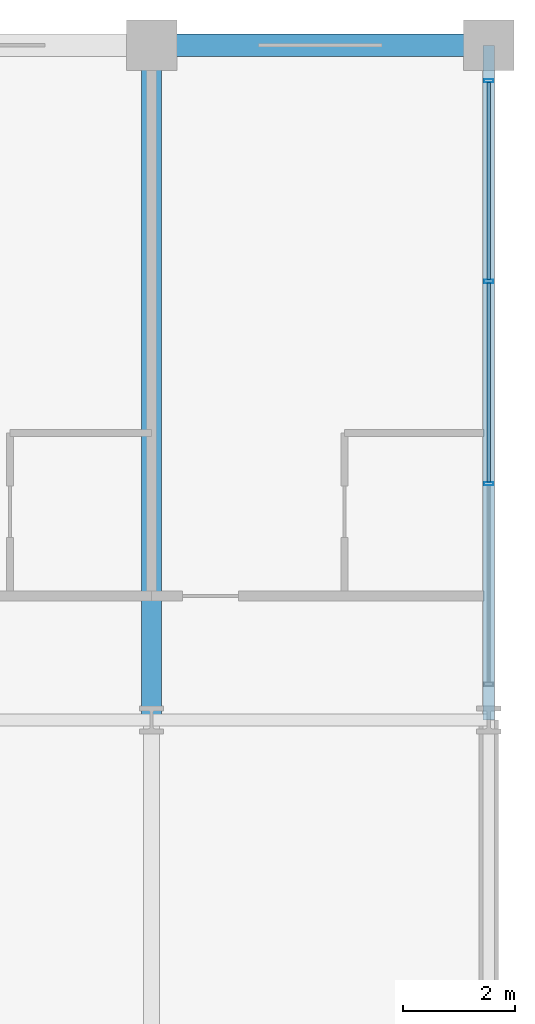
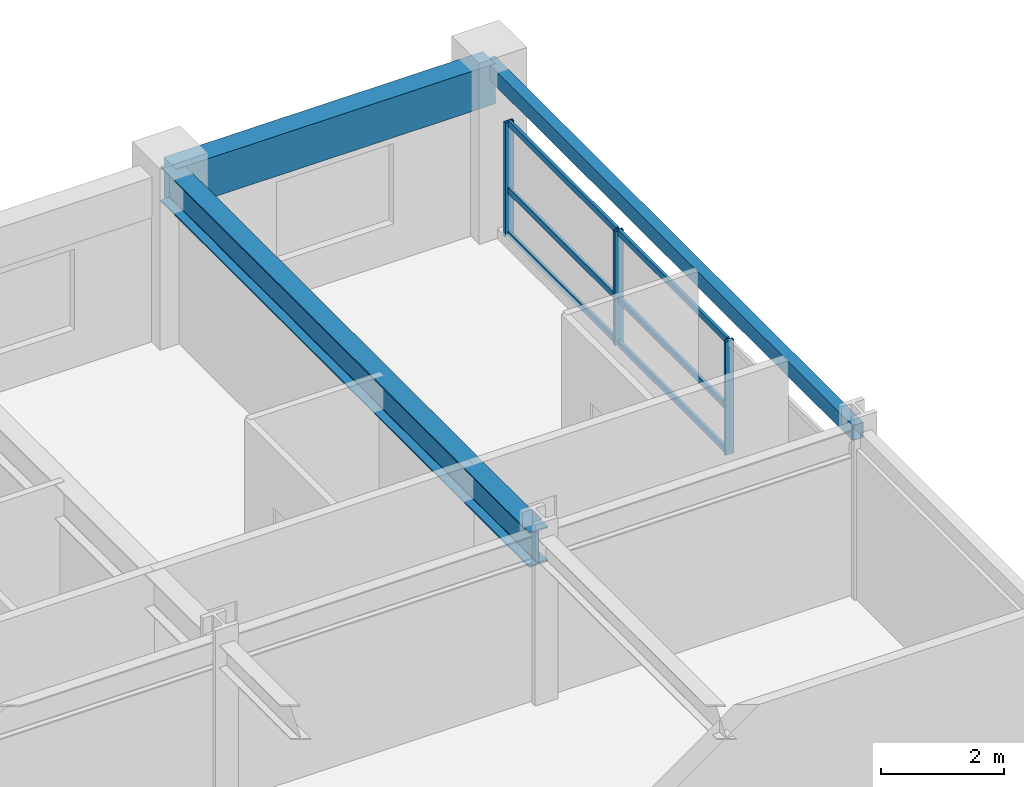
# One storey, part 14 of 22: 9 members, 3 beams, 1 element without a shape of its own.
"""IFC4 building model written with IfcOpenShell, lengths in metres."""

import ifcopenshell
import ifcopenshell.guid

model = None  # the IFC model being written
_history = None  # IfcOwnerHistory: only IFC2X3 demands one
_inside = {}  # id of a spatial element -> (the spatial element, [elements in it])
_under = {}  # id of a project, library or spatial element -> (it, [spatial elements below it])
_declared = {}  # id of a project -> (the project, [libraries it declares])
_typed = {}  # id of a type object -> (the type object, [elements of that type])
_made_of = {}  # id of a material, layer set ... -> (it, [elements and type objects made of it])


def new_model(schema):
    """Start an empty IFC model of exactly this schema.

    Asked for "IFC4X3", IfcOpenShell would pick the latest addendum, in which some entities
    have other attributes; the version numbers below select the first issue.
    IFC2X3 requires an IfcOwnerHistory on every rooted entity: one is made here for all.
    """
    global model, _history
    if schema == "IFC4X3":
        model = ifcopenshell.file(schema_version=(4, 3, 0, 0))
    else:
        model = ifcopenshell.file(schema=schema)
    _inside.clear()
    _under.clear()
    _declared.clear()
    _typed.clear()
    _made_of.clear()
    _history = None
    if model.schema == "IFC2X3":
        org = make("IfcOrganization", Name="unknown")
        user = make(
            "IfcPersonAndOrganization",
            ThePerson=make("IfcPerson", FamilyName="unknown"),
            TheOrganization=org,
        )
        app = make(
            "IfcApplication",
            ApplicationDeveloper=org,
            Version="unknown",
            ApplicationFullName="unknown",
            ApplicationIdentifier="unknown",
        )
        _history = make(
            "IfcOwnerHistory",
            OwningUser=user,
            OwningApplication=app,
            ChangeAction="ADDED",
            CreationDate=0,
        )
    return model


def make(cls, **values):
    """One entity of the class cls with the attributes given. An attribute that is None is left unset."""
    return model.create_entity(
        cls, **{name: value for name, value in values.items() if value is not None}
    )


def rooted(cls, **values):
    """An entity with a GlobalId (a new one), such as an element, a storey or a relation."""
    return make(cls, GlobalId=ifcopenshell.guid.new(), OwnerHistory=_history, **values)


def si_unit(unit_type, name, prefix=None):
    """IfcSIUnit, for example si_unit("LENGTHUNIT", "METRE", prefix="MILLI")."""
    return make("IfcSIUnit", UnitType=unit_type, Prefix=prefix, Name=name)


def assignment(units):
    """IfcUnitAssignment: the units of a project."""
    return None if units is None else make("IfcUnitAssignment", Units=units)


def point(xyz):
    """IfcCartesianPoint."""
    return None if xyz is None else make("IfcCartesianPoint", Coordinates=xyz)


def direction(xyz):
    """IfcDirection."""
    return None if xyz is None else make("IfcDirection", DirectionRatios=xyz)


def frame(location, z_axis=None, x_axis=None):
    """IfcAxis2Placement3D, a coordinate frame: its origin and axes. An axis left out is left unset."""
    return make(
        "IfcAxis2Placement3D",
        Location=point(location),
        Axis=direction(z_axis),
        RefDirection=direction(x_axis),
    )


def frame_2d(location, x_axis=None):
    """IfcAxis2Placement2D, a coordinate frame in the plane: its origin and x axis."""
    return make(
        "IfcAxis2Placement2D", Location=point(location), RefDirection=direction(x_axis)
    )


def origin():
    """The frame at (0, 0, 0) with its axes left unset."""
    return frame((0.0, 0.0, 0.0))


def origin_2d():
    """The frame at (0, 0) in the plane with its x axis left unset."""
    return frame_2d((0.0, 0.0))


def place(relative_to, where):
    """IfcLocalPlacement: puts the frame where relative to a parent placement (None: the world)."""
    return make(
        "IfcLocalPlacement", PlacementRelTo=relative_to, RelativePlacement=where
    )


def context(
    kind, dimensions, precision=None, world=None, true_north=None, identifier=None
):
    """IfcGeometricRepresentationContext, for example the 3D "Model" context."""
    return make(
        "IfcGeometricRepresentationContext",
        ContextIdentifier=identifier,
        ContextType=kind,
        CoordinateSpaceDimension=dimensions,
        Precision=precision,
        WorldCoordinateSystem=world,
        TrueNorth=true_north,
    )


def subcontext(parent, identifier, kind, view, scale=None):
    """IfcGeometricRepresentationSubContext, for example "Body" below "Model"."""
    return make(
        "IfcGeometricRepresentationSubContext",
        ContextIdentifier=identifier,
        ContextType=kind,
        ParentContext=parent,
        TargetScale=scale,
        TargetView=view,
    )


def project(units=None, contexts=None):
    """IfcProject with its units and contexts."""
    return rooted(
        "IfcProject",
        Name="project",
        RepresentationContexts=contexts,
        UnitsInContext=assignment(units),
    )


def spatial(cls, under=None, at=None, **own):
    """A site, building, storey or space (cls), placed at a placement, below another one or the project."""
    s = rooted(cls, ObjectPlacement=at, **own)
    if under is not None:
        _under.setdefault(under.id(), (under, []))[1].append(s)
    return s


def profile(cls, at=None, kind="AREA", **sizes):
    """A parametric profile (cls). Its sizes go by their IFC names, for example OverallWidth=200.0."""
    return make(cls, ProfileType=kind, Position=at, **sizes)


def rectangle(**sizes):
    """IfcRectangleProfileDef."""
    return profile("IfcRectangleProfileDef", **sizes)


def hollow_rectangle(**sizes):
    """IfcRectangleHollowProfileDef."""
    return profile("IfcRectangleHollowProfileDef", **sizes)


def i_section(**sizes):
    """IfcIShapeProfileDef."""
    return profile("IfcIShapeProfileDef", **sizes)


def extrude(swept, where, along, depth):
    """IfcExtrudedAreaSolid: the profile swept, set in the frame where, extruded along a direction by depth."""
    return make(
        "IfcExtrudedAreaSolid",
        SweptArea=swept,
        Position=where,
        ExtrudedDirection=direction(along),
        Depth=depth,
    )


def shape(context_of_items, identifier, shape_type, items):
    """IfcShapeRepresentation: the items that make up one representation, for example the "Body"."""
    return make(
        "IfcShapeRepresentation",
        ContextOfItems=context_of_items,
        RepresentationIdentifier=identifier,
        RepresentationType=shape_type,
        Items=items,
    )


def material(Name=None, Category=None):
    """IfcMaterial."""
    return make("IfcMaterial", Name=Name, Category=Category)


def material_profile(
    of_material, cross_section, Name=None, Category=None, Priority=None
):
    """IfcMaterialProfile: a cross section and its material."""
    return make(
        "IfcMaterialProfile",
        Name=Name,
        Material=of_material,
        Profile=cross_section,
        Priority=Priority,
        Category=Category,
    )


def profile_set(profiles, Name=None, composite=None):
    """IfcMaterialProfileSet."""
    return make(
        "IfcMaterialProfileSet",
        Name=Name,
        MaterialProfiles=profiles,
        CompositeProfile=composite,
    )


def made_of(thing, what):
    """Note that an element or type object is made of a material, layer set ...; save() writes the relation."""
    if what is not None:
        _made_of.setdefault(what.id(), (what, []))[1].append(thing)
    return thing


def type_object(cls, material=None, **own):
    """A type object (cls), such as IfcWallType, which elements share."""
    return made_of(rooted(cls, **own), material)


def element(
    cls,
    number,
    at=None,
    inside=None,
    cuts=None,
    type_object=None,
    material=None,
    context=None,
    identifier="Body",
    shape_type=None,
    held_by="IfcProductDefinitionShape",
    body=None,
    shapes=None,
    **own,
):
    """One element of the class cls, such as IfcWall. Its Tag is "e" and its number.

    at: its placement. inside: the storey or other place that contains it. cuts: it is an
    opening in that element (IfcRelVoidsElement). A single representation is given by context,
    identifier, shape_type and body (its items); several are given by shapes. held_by: the class
    of the entity that holds the representations. save() writes the other relations.
    """
    e = rooted(cls, Tag="e%d" % number, ObjectPlacement=at, **own)
    if body is not None:
        shapes = [shape(context, identifier, shape_type, body)]
    if shapes is not None:
        e.Representation = make(held_by, Representations=shapes)
    if inside is not None:
        _inside.setdefault(inside.id(), (inside, []))[1].append(e)
    if cuts is not None:
        rooted(
            "IfcRelVoidsElement", RelatingBuildingElement=cuts, RelatedOpeningElement=e
        )
    if type_object is not None:
        _typed.setdefault(type_object.id(), (type_object, []))[1].append(e)
    return made_of(e, material)


def aggregate(whole, parts):
    """IfcRelAggregates: a whole, such as a stair, and the parts it consists of."""
    return rooted("IfcRelAggregates", RelatingObject=whole, RelatedObjects=parts)


def save(model, path):
    """Write the relations noted so far, then the file.

    IfcRelAggregates (storeys below a building ...), IfcRelContainedInSpatialStructure (elements
    in a storey), IfcRelDefinesByType, IfcRelAssociatesMaterial and IfcRelDeclares: one each for
    every whole, place, type object, material and project.
    """
    for whole, parts in _under.values():
        aggregate(whole, parts)
    for where, things in _inside.values():
        rooted(
            "IfcRelContainedInSpatialStructure",
            RelatedElements=things,
            RelatingStructure=where,
        )
    for kind, things in _typed.values():
        rooted("IfcRelDefinesByType", RelatedObjects=things, RelatingType=kind)
    for what, things in _made_of.values():
        rooted("IfcRelAssociatesMaterial", RelatedObjects=things, RelatingMaterial=what)
    for by, libraries in _declared.values():
        rooted("IfcRelDeclares", RelatingContext=by, RelatedDefinitions=libraries)
    model.write(path)


model = new_model("IFC4")

# Units and contexts
model_context = context("Model", 3, precision=1e-05, world=origin(), true_north=direction((0.0, 1.0)))
body_context = subcontext(model_context, "Body", "Model", "MODEL_VIEW")
ifc_project = project(units=[si_unit("LENGTHUNIT", "METRE"), si_unit("AREAUNIT", "SQUARE_METRE"), si_unit("VOLUMEUNIT", "CUBIC_METRE"), si_unit("PLANEANGLEUNIT", "RADIAN"), si_unit("MASSUNIT", "GRAM", prefix="KILO")], contexts=[model_context])

# Site, building, storey
site_placement = place(None, origin())
site = spatial("IfcSite", under=ifc_project, at=site_placement, CompositionType="ELEMENT")
building_placement = place(site_placement, origin())
building = spatial("IfcBuilding", under=site, at=building_placement, Name="Kaldorvane Square Convention Centre", CompositionType="ELEMENT")
storey_placement = place(building_placement, frame((0.0, 0.0, 31.199996948242188)))
storey = spatial("IfcBuildingStorey", under=building, at=storey_placement, Name="L06", CompositionType="ELEMENT", Elevation=31.199996948242188)

# Beams
ifc_material_1 = material(Name="Steel ASTM A992 Gr. 50", Category="steel")
ifc_material_profile_1 = material_profile(ifc_material_1, i_section(OverallWidth=0.354705810546875, OverallDepth=0.69549560546875, WebThickness=0.0153961181640625, FlangeThickness=0.0251007080078125, FilletRadius=0.01519775390625, at=origin_2d()), Name="W27X146")
ifc_profile_set_1 = profile_set([ifc_material_profile_1], Name="Steel ASTM A992 Gr. 50")
beam_type_1 = type_object("IfcBeamType", Name="BM-GR-W27X146", PredefinedType="BEAM", material=ifc_profile_set_1)
beam_1_placement = place(storey_placement, frame((90.0, 105.0, 2.938201904296875), z_axis=(0.0, 1.0, 0.0), x_axis=(-1.0, 0.0, 0.0)))
element("IfcBeam", 1, at=beam_1_placement, inside=storey, type_object=beam_type_1, Name="Transverse Girder (L06)", PredefinedType="BEAM", context=body_context, shape_type="SweptSolid", body=[
    extrude(i_section(OverallWidth=0.354705810546875, OverallDepth=0.69549560546875, WebThickness=0.0153961181640625, FlangeThickness=0.0251007080078125, FilletRadius=0.01519775390625, at=origin_2d()), origin(), (0.0, 0.0, 1.0), 12.0),
])
ifc_material_2 = material(Name="Steel ASTM A500 Gr. C", Category="steel")
ifc_material_profile_2 = material_profile(ifc_material_2, hollow_rectangle(XDim=0.2032012939453125, YDim=0.3047943115234375, WallThickness=0.0088958740234375, at=origin_2d()), Name="HSS12X8X3/8")
ifc_profile_set_2 = profile_set([ifc_material_profile_2], Name="Steel ASTM A500 Gr. C")
beam_type_2 = type_object("IfcBeamType", Name="BM-SP-HSS12", PredefinedType="SPANDREL", material=ifc_profile_set_2)
beam_2_placement = place(storey_placement, frame((96.0, 105.0, 3.13360595703125), z_axis=(0.0, 1.0, 0.0), x_axis=(-1.0, 0.0, 0.0)))
element("IfcBeam", 2, at=beam_2_placement, inside=storey, type_object=beam_type_2, Name="End Spandrel (L06)", PredefinedType="SPANDREL", context=body_context, shape_type="SweptSolid", body=[
    extrude(hollow_rectangle(XDim=0.2032012939453125, YDim=0.3047943115234375, WallThickness=0.0088958740234375, at=origin_2d()), origin(), (0.0, 0.0, 1.0), 12.0),
])
ifc_material_3 = material(Name="Concrete f'c = 42 MPa (Normalweight)", Category="concrete")
ifc_material_profile_3 = material_profile(ifc_material_3, rectangle(XDim=0.399993896484375, YDim=0.8000030517578125, at=origin_2d()), Name="RCSP800X400")
ifc_profile_set_3 = profile_set([ifc_material_profile_3], Name="Concrete f'c = 42 MPa (Normalweight)")
beam_type_3 = type_object("IfcBeamType", Name="BM-SP-RC800", PredefinedType="SPANDREL", material=ifc_profile_set_3)
beam_3_placement = place(storey_placement, frame((90.0, 117.0, 2.8860015869140625), z_axis=(1.0, 0.0, 0.0), x_axis=(0.0, 1.0, 0.0)))
element("IfcBeam", 3, at=beam_3_placement, inside=storey, type_object=beam_type_3, Name="Perimeter Spandrel (L06)", PredefinedType="SPANDREL", context=body_context, shape_type="SweptSolid", body=[
    extrude(rectangle(XDim=0.399993896484375, YDim=0.8000030517578125, at=origin_2d()), origin(), (0.0, 0.0, 1.0), 6.0),
])

# Curtain wall, members
ifc_material_4 = material(Name="Anodized Aluminum and Low-E Insulated Glazing", Category="aluminium")
curtain_wall_type = type_object("IfcCurtainWallType", Name="CW-UNI-HTL-A", PredefinedType="USERDEFINED", material=ifc_material_4)
curtain_wall_placement = place(storey_placement, origin())
curtain_wall = element("IfcCurtainWall", 4, at=curtain_wall_placement, inside=storey, type_object=curtain_wall_type, Name="Curtain Wall CW-10 (L06)", ObjectType="UNITISED GLAZING", PredefinedType="USERDEFINED")
ifc_material_profile_4 = material_profile(ifc_material_4, hollow_rectangle(XDim=0.05999755859375, YDim=0.160003662109375, WallThickness=0.003204345703125, at=origin_2d()), Name="CWM-160X60")
ifc_profile_set_4 = profile_set([ifc_material_profile_4], Name="Anodized Aluminum and Low-E Insulated Glazing")
member_type_1 = type_object("IfcMemberType", Name="CW-MUL-160", PredefinedType="MULLION", material=ifc_profile_set_4)
member_1_placement = place(storey_placement, frame((96.0, 109.19999694824219, 0.1500091552734375), z_axis=(0.0, 0.0, 1.0), x_axis=(0.0, 1.0, 0.0)))
member_1 = element("IfcMember", 5, at=member_1_placement, type_object=member_type_1, Name="CW-10 mullion 2", PredefinedType="MULLION", context=body_context, shape_type="SweptSolid", body=[
    extrude(hollow_rectangle(XDim=0.05999755859375, YDim=0.160003662109375, WallThickness=0.003204345703125, at=origin_2d()), origin(), (0.0, 0.0, 1.0), 2.2599945068359375),
])
member_2_placement = place(storey_placement, frame((96.0, 112.80000305175781, 0.1500091552734375), z_axis=(0.0, 0.0, 1.0), x_axis=(0.0, 1.0, 0.0)))
member_2 = element("IfcMember", 6, at=member_2_placement, type_object=member_type_1, Name="CW-10 mullion 3", PredefinedType="MULLION", context=body_context, shape_type="SweptSolid", body=[
    extrude(hollow_rectangle(XDim=0.05999755859375, YDim=0.160003662109375, WallThickness=0.003204345703125, at=origin_2d()), origin(), (0.0, 0.0, 1.0), 2.2599945068359375),
])
member_3_placement = place(storey_placement, frame((96.0, 116.3699951171875, 0.1500091552734375), z_axis=(0.0, 0.0, 1.0), x_axis=(0.0, 1.0, 0.0)))
member_3 = element("IfcMember", 7, at=member_3_placement, type_object=member_type_1, Name="CW-10 mullion 4", PredefinedType="MULLION", context=body_context, shape_type="SweptSolid", body=[
    extrude(hollow_rectangle(XDim=0.05999755859375, YDim=0.160003662109375, WallThickness=0.003204345703125, at=origin_2d()), origin(), (0.0, 0.0, 1.0), 2.2599945068359375),
])
ifc_material_profile_5 = material_profile(ifc_material_4, hollow_rectangle(XDim=0.05499267578125, YDim=0.1199951171875, WallThickness=0.0030059814453125, at=origin_2d()), Name="CWT-120X55")
ifc_profile_set_5 = profile_set([ifc_material_profile_5], Name="Anodized Aluminum and Low-E Insulated Glazing")
member_type_2 = type_object("IfcMemberType", Name="CW-TRN-120", PredefinedType="USERDEFINED", material=ifc_profile_set_5)
member_4_placement = place(storey_placement, frame((96.0, 109.22999572753906, 0.1775054931640625), z_axis=(0.0, 1.0, 0.0), x_axis=(-1.0, 0.0, 0.0)))
member_4 = element("IfcMember", 8, at=member_4_placement, type_object=member_type_2, Name="CW-10 transom 2.1", ObjectType="TRANSOM", PredefinedType="USERDEFINED", context=body_context, shape_type="SweptSolid", body=[
    extrude(hollow_rectangle(XDim=0.05499267578125, YDim=0.1199951171875, WallThickness=0.0030059814453125, at=origin_2d()), origin(), (0.0, 0.0, 1.0), 3.540008544921875),
])
member_5_placement = place(storey_placement, frame((96.0, 109.22999572753906, 1.0500030517578125), z_axis=(0.0, 1.0, 0.0), x_axis=(-1.0, 0.0, 0.0)))
member_5 = element("IfcMember", 9, at=member_5_placement, type_object=member_type_2, Name="CW-10 transom 2.2", ObjectType="TRANSOM", PredefinedType="USERDEFINED", context=body_context, shape_type="SweptSolid", body=[
    extrude(hollow_rectangle(XDim=0.05499267578125, YDim=0.1199951171875, WallThickness=0.0030059814453125, at=origin_2d()), origin(), (0.0, 0.0, 1.0), 3.540008544921875),
])
member_6_placement = place(storey_placement, frame((96.0, 109.22999572753906, 2.38250732421875), z_axis=(0.0, 1.0, 0.0), x_axis=(-1.0, 0.0, 0.0)))
member_6 = element("IfcMember", 10, at=member_6_placement, type_object=member_type_2, Name="CW-10 transom 2.3", ObjectType="TRANSOM", PredefinedType="USERDEFINED", context=body_context, shape_type="SweptSolid", body=[
    extrude(hollow_rectangle(XDim=0.05499267578125, YDim=0.1199951171875, WallThickness=0.0030059814453125, at=origin_2d()), origin(), (0.0, 0.0, 1.0), 3.540008544921875),
])
member_7_placement = place(storey_placement, frame((96.0, 112.83000183105469, 0.1775054931640625), z_axis=(0.0, 1.0, 0.0), x_axis=(-1.0, 0.0, 0.0)))
member_7 = element("IfcMember", 11, at=member_7_placement, type_object=member_type_2, Name="CW-10 transom 3.1", ObjectType="TRANSOM", PredefinedType="USERDEFINED", context=body_context, shape_type="SweptSolid", body=[
    extrude(hollow_rectangle(XDim=0.05499267578125, YDim=0.1199951171875, WallThickness=0.0030059814453125, at=origin_2d()), origin(), (0.0, 0.0, 1.0), 3.5099945068359375),
])
member_8_placement = place(storey_placement, frame((96.0, 112.83000183105469, 1.0500030517578125), z_axis=(0.0, 1.0, 0.0), x_axis=(-1.0, 0.0, 0.0)))
member_8 = element("IfcMember", 12, at=member_8_placement, type_object=member_type_2, Name="CW-10 transom 3.2", ObjectType="TRANSOM", PredefinedType="USERDEFINED", context=body_context, shape_type="SweptSolid", body=[
    extrude(hollow_rectangle(XDim=0.05499267578125, YDim=0.1199951171875, WallThickness=0.0030059814453125, at=origin_2d()), origin(), (0.0, 0.0, 1.0), 3.5099945068359375),
])
member_9_placement = place(storey_placement, frame((96.0, 112.83000183105469, 2.38250732421875), z_axis=(0.0, 1.0, 0.0), x_axis=(-1.0, 0.0, 0.0)))
member_9 = element("IfcMember", 13, at=member_9_placement, type_object=member_type_2, Name="CW-10 transom 3.3", ObjectType="TRANSOM", PredefinedType="USERDEFINED", context=body_context, shape_type="SweptSolid", body=[
    extrude(hollow_rectangle(XDim=0.05499267578125, YDim=0.1199951171875, WallThickness=0.0030059814453125, at=origin_2d()), origin(), (0.0, 0.0, 1.0), 3.5099945068359375),
])
aggregate(curtain_wall, [member_1, member_2, member_3, member_4, member_5, member_6, member_7, member_8, member_9])

save(model, "model.ifc")
